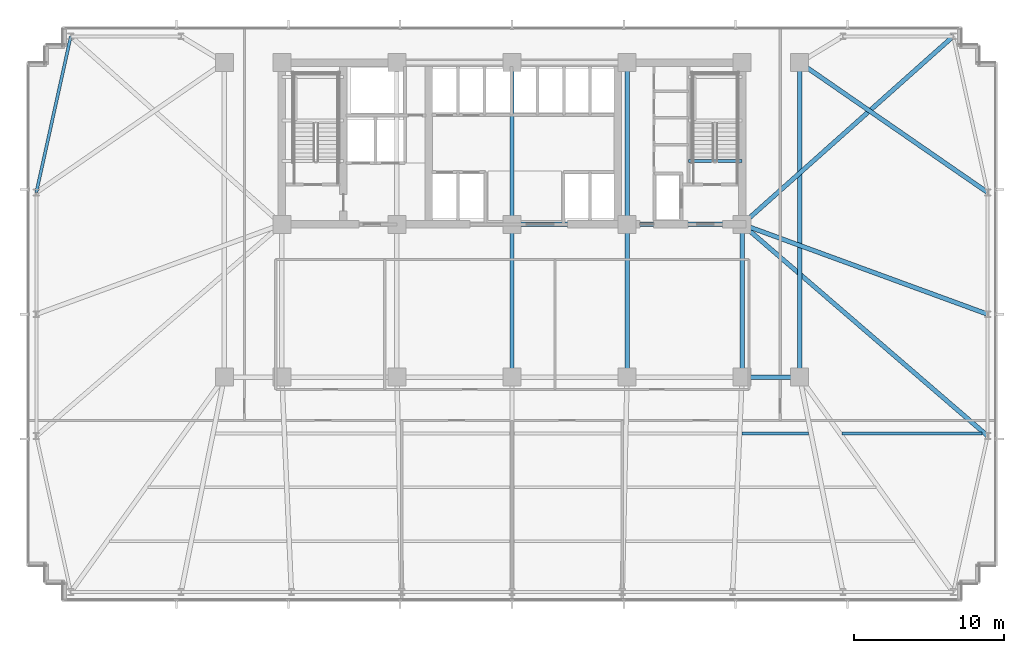
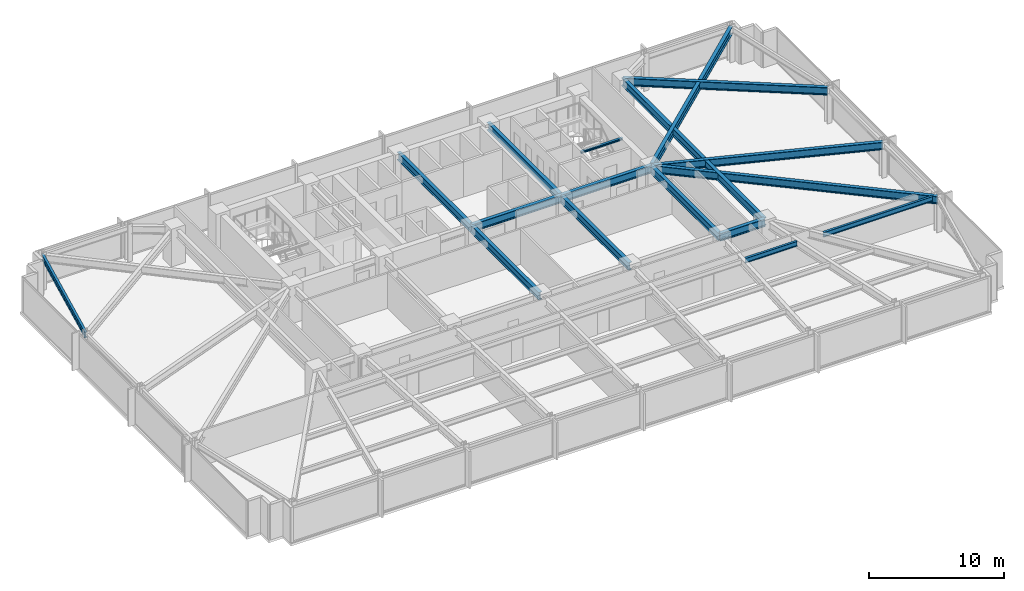
# One storey, part 16 of 33: 17 beams.
"""IFC4 building model written with IfcOpenShell, lengths in metres."""

from ifc_helpers import new_model, si_unit, direction, frame, origin, origin_2d, place, context, subcontext, project, spatial, i_section, extrude, material, material_profile, profile_set, type_object, element, save


model = new_model("IFC4")

# Units and contexts
model_context = context("Model", 3, precision=1e-05, world=origin(), true_north=direction((0.0, 1.0)))
body_context = subcontext(model_context, "Body", "Model", "MODEL_VIEW")
ifc_project = project(units=[si_unit("LENGTHUNIT", "METRE"), si_unit("AREAUNIT", "SQUARE_METRE"), si_unit("VOLUMEUNIT", "CUBIC_METRE"), si_unit("PLANEANGLEUNIT", "RADIAN"), si_unit("MASSUNIT", "GRAM", prefix="KILO")], contexts=[model_context])

# Site, building, storey
site_placement = place(None, origin())
site = spatial("IfcSite", under=ifc_project, at=site_placement, CompositionType="ELEMENT")
building_placement = place(site_placement, origin())
building = spatial("IfcBuilding", under=site, at=building_placement, Name="Yelkora Congress Tower", CompositionType="ELEMENT")
storey_placement = place(building_placement, frame((0.0, 0.0, 47.39990234375)))
storey = spatial("IfcBuildingStorey", under=building, at=storey_placement, Name="L11", CompositionType="ELEMENT", Elevation=47.39990234375)

# Beams
ifc_material = material(Name="Steel S355J2", Category="steel")
ifc_material_profile_1 = material_profile(ifc_material, i_section(OverallWidth=0.300048828125, OverallDepth=0.699951171875, WebThickness=0.01708984375, FlangeThickness=0.031982421875, FilletRadius=0.027099609375, at=origin_2d()), Name="HEB 700")
ifc_profile_set_1 = profile_set([ifc_material_profile_1], Name="Steel S355J2")
beam_type_1 = type_object("IfcBeamType", Name="BM-GIRD-HEB700", PredefinedType="BEAM", material=ifc_profile_set_1)
beam_1_placement = place(storey_placement, frame((53.760009765625, 25.199951171875, 2.830078125), z_axis=(1.0, 0.0, 0.0), x_axis=(0.0, 1.0, 0.0)))
element("IfcBeam", 1, at=beam_1_placement, inside=storey, type_object=beam_type_1, Name="L11 Spine Grid D Girder 6", PredefinedType="BEAM", context=body_context, shape_type="SweptSolid", body=[
    extrude(i_section(OverallWidth=0.300048828125, OverallDepth=0.699951171875, WebThickness=0.01708984375, FlangeThickness=0.031982421875, FilletRadius=0.027099609375, at=origin_2d()), origin(), (0.0, 0.0, 1.0), 3.840087890625),
])
beam_2_placement = place(storey_placement, frame((38.39990234375, 35.39990234375, 2.830078125), z_axis=(1.0, 0.0, 0.0), x_axis=(0.0, 1.0, 0.0)))
element("IfcBeam", 2, at=beam_2_placement, inside=storey, type_object=beam_type_1, Name="L11 Core South Girder 3", PredefinedType="BEAM", context=body_context, shape_type="SweptSolid", body=[
    extrude(i_section(OverallWidth=0.300048828125, OverallDepth=0.699951171875, WebThickness=0.01708984375, FlangeThickness=0.031982421875, FilletRadius=0.027099609375, at=origin_2d()), origin(), (0.0, 0.0, 1.0), 7.68017578125),
])
beam_3_placement = place(storey_placement, frame((46.080078125, 35.39990234375, 2.830078125), z_axis=(1.0, 0.0, 0.0), x_axis=(0.0, 1.0, 0.0)))
element("IfcBeam", 3, at=beam_3_placement, inside=storey, type_object=beam_type_1, Name="L11 Core South Girder 4", PredefinedType="BEAM", context=body_context, shape_type="SweptSolid", body=[
    extrude(i_section(OverallWidth=0.300048828125, OverallDepth=0.699951171875, WebThickness=0.01708984375, FlangeThickness=0.031982421875, FilletRadius=0.027099609375, at=origin_2d()), origin(), (0.0, 0.0, 1.0), 7.679931640625),
])
beam_4_placement = place(storey_placement, frame((38.39990234375, 25.199951171875, 2.830078125), z_axis=(0.0, 1.0, 0.0), x_axis=(-1.0, 0.0, 0.0)))
element("IfcBeam", 4, at=beam_4_placement, inside=storey, type_object=beam_type_1, Name="L11 Core Tie Girder MC-D3", PredefinedType="BEAM", context=body_context, shape_type="SweptSolid", body=[
    extrude(i_section(OverallWidth=0.300048828125, OverallDepth=0.699951171875, WebThickness=0.01708984375, FlangeThickness=0.031982421875, FilletRadius=0.027099609375, at=origin_2d()), origin(), (0.0, 0.0, 1.0), 10.199951171875),
])
beam_5_placement = place(storey_placement, frame((38.39990234375, 35.39990234375, 2.830078125), z_axis=(0.0, 1.0, 0.0), x_axis=(-1.0, 0.0, 0.0)))
element("IfcBeam", 5, at=beam_5_placement, inside=storey, type_object=beam_type_1, Name="L11 Core Tie Girder MC-S3", PredefinedType="BEAM", context=body_context, shape_type="SweptSolid", body=[
    extrude(i_section(OverallWidth=0.300048828125, OverallDepth=0.699951171875, WebThickness=0.01708984375, FlangeThickness=0.031982421875, FilletRadius=0.027099609375, at=origin_2d()), origin(), (0.0, 0.0, 1.0), 10.800048828125),
])
beam_6_placement = place(storey_placement, frame((46.080078125, 25.199951171875, 2.830078125), z_axis=(0.0, 1.0, 0.0), x_axis=(-1.0, 0.0, 0.0)))
element("IfcBeam", 6, at=beam_6_placement, inside=storey, type_object=beam_type_1, Name="L11 Core Tie Girder MC-D4", PredefinedType="BEAM", context=body_context, shape_type="SweptSolid", body=[
    extrude(i_section(OverallWidth=0.300048828125, OverallDepth=0.699951171875, WebThickness=0.01708984375, FlangeThickness=0.031982421875, FilletRadius=0.027099609375, at=origin_2d()), origin(), (0.0, 0.0, 1.0), 10.199951171875),
])
beam_7_placement = place(storey_placement, frame((46.080078125, 35.39990234375, 2.830078125), z_axis=(0.0, 1.0, 0.0), x_axis=(-1.0, 0.0, 0.0)))
element("IfcBeam", 7, at=beam_7_placement, inside=storey, type_object=beam_type_1, Name="L11 Core Tie Girder MC-S4", PredefinedType="BEAM", context=body_context, shape_type="SweptSolid", body=[
    extrude(i_section(OverallWidth=0.300048828125, OverallDepth=0.699951171875, WebThickness=0.01708984375, FlangeThickness=0.031982421875, FilletRadius=0.027099609375, at=origin_2d()), origin(), (0.0, 0.0, 1.0), 10.800048828125),
])
beam_8_placement = place(storey_placement, frame((53.760009765625, 25.199951171875, 2.830078125), z_axis=(0.0, 1.0, 0.0), x_axis=(-1.0, 0.0, 0.0)))
element("IfcBeam", 8, at=beam_8_placement, inside=storey, type_object=beam_type_1, Name="L11 Core Tie Girder MC-D5", PredefinedType="BEAM", context=body_context, shape_type="SweptSolid", body=[
    extrude(i_section(OverallWidth=0.300048828125, OverallDepth=0.699951171875, WebThickness=0.01708984375, FlangeThickness=0.031982421875, FilletRadius=0.027099609375, at=origin_2d()), origin(), (0.0, 0.0, 1.0), 10.199951171875),
])
beam_9_placement = place(storey_placement, frame((57.60009765625, 25.199951171875, 2.830078125), z_axis=(0.0, 1.0, 0.0), x_axis=(-1.0, 0.0, 0.0)))
element("IfcBeam", 9, at=beam_9_placement, inside=storey, type_object=beam_type_1, Name="L11 Neck Flank Girder MC-F2", PredefinedType="BEAM", context=body_context, shape_type="SweptSolid", body=[
    extrude(i_section(OverallWidth=0.300048828125, OverallDepth=0.699951171875, WebThickness=0.01708984375, FlangeThickness=0.031982421875, FilletRadius=0.027099609375, at=origin_2d()), origin(), (0.0, 0.0, 1.0), 21.0),
])
beam_10_placement = place(storey_placement, frame((67.85009765625, 47.949951171875, 2.830078125), z_axis=(-0.746737189621, -0.665119214605, 0.0), x_axis=(0.665119214605, -0.746737189621, 0.0)))
element("IfcBeam", 10, at=beam_10_placement, inside=storey, type_object=beam_type_1, Name="L11 Primary Frame Girder N09", PredefinedType="BEAM", context=body_context, shape_type="SweptSolid", body=[
    extrude(i_section(OverallWidth=0.300048828125, OverallDepth=0.699951171875, WebThickness=0.01708984375, FlangeThickness=0.031982421875, FilletRadius=0.027099609375, at=origin_2d()), origin(), (0.0, 0.0, 1.0), 18.868896484375),
])
beam_11_placement = place(storey_placement, frame((70.14990234375, 21.27490234375, 2.830078125), z_axis=(-0.757506357109, 0.652827786586, 0.0), x_axis=(-0.652827786586, -0.757506357109, 0.0)))
element("IfcBeam", 11, at=beam_11_placement, inside=storey, type_object=beam_type_1, Name="L11 Primary Frame Girder E01", PredefinedType="BEAM", context=body_context, shape_type="SweptSolid", body=[
    extrude(i_section(OverallWidth=0.300048828125, OverallDepth=0.699951171875, WebThickness=0.01708984375, FlangeThickness=0.031982421875, FilletRadius=0.027099609375, at=origin_2d()), origin(), (0.0, 0.0, 1.0), 21.63671875),
])
beam_12_placement = place(storey_placement, frame((70.14990234375, 29.39990234375, 2.830078125), z_axis=(-0.939054471542, 0.343768380567, 0.0), x_axis=(-0.343768380567, -0.939054471542, 0.0)))
element("IfcBeam", 12, at=beam_12_placement, inside=storey, type_object=beam_type_1, Name="L11 Primary Frame Girder E02", PredefinedType="BEAM", context=body_context, shape_type="SweptSolid", body=[
    extrude(i_section(OverallWidth=0.300048828125, OverallDepth=0.699951171875, WebThickness=0.01708984375, FlangeThickness=0.031982421875, FilletRadius=0.027099609375, at=origin_2d()), origin(), (0.0, 0.0, 1.0), 17.45361328125),
])
beam_13_placement = place(storey_placement, frame((70.14990234375, 37.52490234375, 2.830078125), z_axis=(-0.822599280139, 0.568621512357, 0.0), x_axis=(-0.568621512357, -0.822599280139, 0.0)))
element("IfcBeam", 13, at=beam_13_placement, inside=storey, type_object=beam_type_1, Name="L11 Primary Frame Girder E03", PredefinedType="BEAM", context=body_context, shape_type="SweptSolid", body=[
    extrude(i_section(OverallWidth=0.300048828125, OverallDepth=0.699951171875, WebThickness=0.01708984375, FlangeThickness=0.031982421875, FilletRadius=0.027099609375, at=origin_2d()), origin(), (0.0, 0.0, 1.0), 15.25634765625),
])
ifc_material_profile_2 = material_profile(ifc_material, i_section(OverallWidth=0.18994140625, OverallDepth=0.449951171875, WebThickness=0.009521484375, FlangeThickness=0.0146484375, FilletRadius=0.02099609375, at=origin_2d()), Name="IPE 450")
ifc_profile_set_2 = profile_set([ifc_material_profile_2], Name="Steel S355J2")
beam_type_2 = type_object("IfcBeamType", Name="BM-JOIST-IPE450", PredefinedType="JOIST", material=ifc_profile_set_2)
beam_14_placement = place(storey_placement, frame((53.754150390625, 21.449951171875, 2.955078125), z_axis=(1.0, 0.0, 0.0), x_axis=(0.0, 1.0, 0.0)))
element("IfcBeam", 14, at=beam_14_placement, inside=storey, type_object=beam_type_2, Name="L11 Composite Floor Joist 22", PredefinedType="JOIST", context=body_context, shape_type="SweptSolid", body=[
    extrude(i_section(OverallWidth=0.18994140625, OverallDepth=0.449951171875, WebThickness=0.009521484375, FlangeThickness=0.0146484375, FilletRadius=0.02099609375, at=origin_2d()), origin(), (0.0, 0.0, 1.0), 4.4404296875),
])
beam_15_placement = place(storey_placement, frame((60.438720703125, 21.449951171875, 2.955078125), z_axis=(1.0, 0.0, 0.0), x_axis=(0.0, 1.0, 0.0)))
element("IfcBeam", 15, at=beam_15_placement, inside=storey, type_object=beam_type_2, Name="L11 Composite Floor Joist 23", PredefinedType="JOIST", context=body_context, shape_type="SweptSolid", body=[
    extrude(i_section(OverallWidth=0.18994140625, OverallDepth=0.449951171875, WebThickness=0.009521484375, FlangeThickness=0.0146484375, FilletRadius=0.02099609375, at=origin_2d()), origin(), (0.0, 0.0, 1.0), 9.34814453125),
])
ifc_material_profile_3 = material_profile(ifc_material, i_section(OverallWidth=0.199951171875, OverallDepth=0.18994140625, WebThickness=0.006591796875, FlangeThickness=0.010009765625, FilletRadius=0.01806640625, at=origin_2d()), Name="HEA 200")
ifc_profile_set_3 = profile_set([ifc_material_profile_3], Name="Steel S355J2")
beam_type_3 = type_object("IfcBeamType", Name="BM-LAND-HEA200", PredefinedType="BEAM", material=ifc_profile_set_3)
beam_16_placement = place(storey_placement, frame((50.179931640625, 39.639892578125, 2.947509765625), z_axis=(1.0, 0.0, 0.0), x_axis=(0.0, 1.0, 0.0)))
element("IfcBeam", 16, at=beam_16_placement, inside=storey, type_object=beam_type_3, Name="ST-02 L11 Floor Arrival Stringer Header Beam", PredefinedType="BEAM", context=body_context, shape_type="SweptSolid", body=[
    extrude(i_section(OverallWidth=0.199951171875, OverallDepth=0.18994140625, WebThickness=0.006591796875, FlangeThickness=0.010009765625, FilletRadius=0.01806640625, at=origin_2d()), origin(), (0.0, 0.0, 1.0), 3.580078125),
])
ifc_material_profile_4 = material_profile(ifc_material, i_section(OverallWidth=0.199951171875, OverallDepth=0.5, WebThickness=0.01025390625, FlangeThickness=0.01611328125, FilletRadius=0.02099609375, at=origin_2d()), Name="IPE 500")
ifc_profile_set_4 = profile_set([ifc_material_profile_4], Name="Steel S355J2")
beam_type_4 = type_object("IfcBeamType", Name="BM-SPAN-IPE500", PredefinedType="SPANDREL", material=ifc_profile_set_4)
beam_17_placement = place(storey_placement, frame((8.949951171875, 47.949951171875, 2.93017578125), z_axis=(-0.215445894778, -0.976515778891, 0.0), x_axis=(0.976515778891, -0.215445894778, 0.0)))
element("IfcBeam", 17, at=beam_17_placement, inside=storey, type_object=beam_type_4, Name="L11 Perimeter Beam 17", PredefinedType="SPANDREL", context=body_context, shape_type="SweptSolid", body=[
    extrude(i_section(OverallWidth=0.199951171875, OverallDepth=0.5, WebThickness=0.01025390625, FlangeThickness=0.01611328125, FilletRadius=0.02099609375, at=origin_2d()), origin(), (0.0, 0.0, 1.0), 10.67578125),
])

save(model, "model.ifc")
